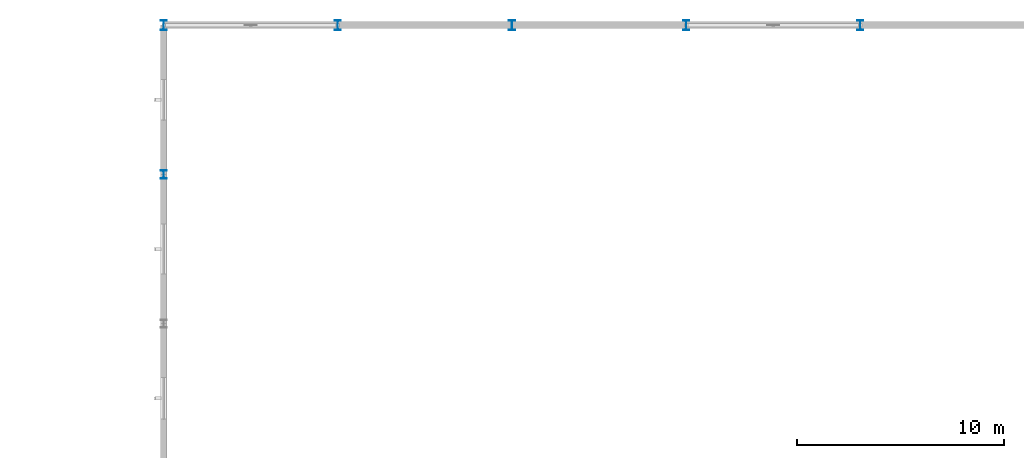
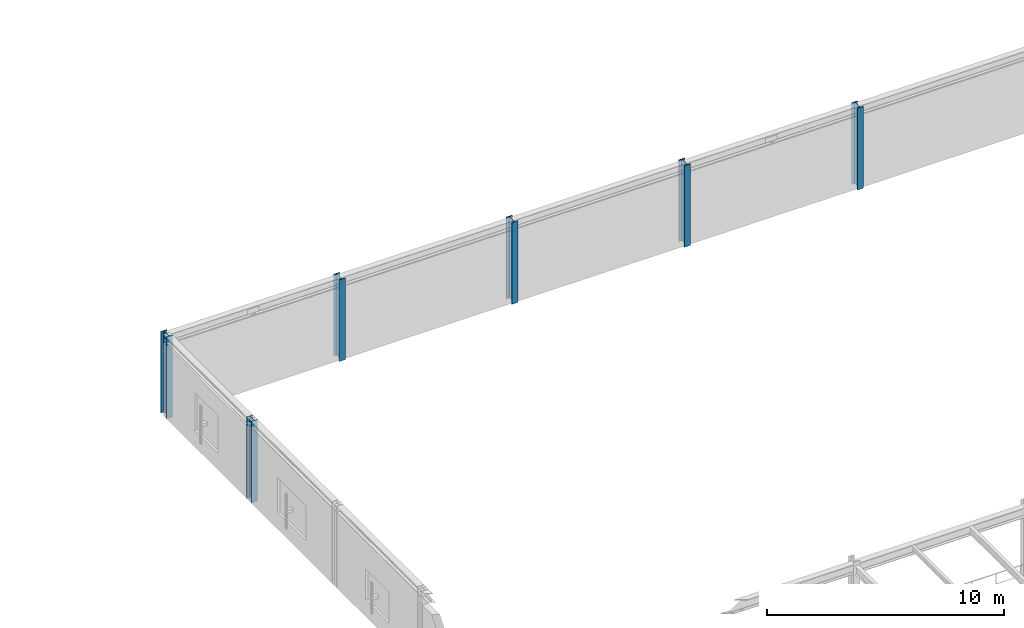
# One storey, part 14 of 109: 6 columns.
"""IFC4 building model written with IfcOpenShell, lengths in metres."""

from ifc_helpers import new_model, si_unit, derived_unit, direction, frame, origin, origin_2d, place, context, subcontext, project, spatial, i_section, extrude, material, material_profile, profile_set, type_object, element, save


model = new_model("IFC4")

# Units and contexts
model_context = context("Model", 3, precision=1e-05, world=origin(), true_north=direction((0.0, 1.0)))
body_context = subcontext(model_context, "Body", "Model", "MODEL_VIEW")
ifc_project = project(units=[si_unit("LENGTHUNIT", "METRE"), si_unit("AREAUNIT", "SQUARE_METRE"), si_unit("VOLUMEUNIT", "CUBIC_METRE"), si_unit("PLANEANGLEUNIT", "RADIAN"), si_unit("MASSUNIT", "GRAM", prefix="KILO"), derived_unit("THERMALTRANSMITTANCEUNIT", [(si_unit("MASSUNIT", "GRAM", prefix="KILO"), 1), (si_unit("TIMEUNIT", "SECOND"), -3), (si_unit("THERMODYNAMICTEMPERATUREUNIT", "KELVIN"), -1)])], contexts=[model_context])

# Site, building, storey
site_placement = place(None, origin())
site = spatial("IfcSite", under=ifc_project, at=site_placement, CompositionType="ELEMENT")
building_placement = place(site_placement, origin())
building = spatial("IfcBuilding", under=site, at=building_placement, Name="Kharveza Railside Sports Centre", CompositionType="ELEMENT")
storey_placement = place(building_placement, frame((0.0, 0.0, 4.5)))
storey = spatial("IfcBuildingStorey", under=building, at=storey_placement, Name="L01", CompositionType="ELEMENT", Elevation=4.5)

# Columns
ifc_material = material(Name="Steel S355J2", Category="steel")
ifc_material_profile_1 = material_profile(ifc_material, i_section(OverallWidth=0.300048828125, OverallDepth=0.5, WebThickness=0.014404296875, FlangeThickness=0.028076171875, FilletRadius=0.027099609375, at=origin_2d()), Name="HEB 500")
ifc_profile_set_1 = profile_set([ifc_material_profile_1], Name="Steel S355J2")
column_type_1 = type_object("IfcColumnType", Name="COL-S03", PredefinedType="COLUMN", material=ifc_profile_set_1)
for number, where, z_axis, x_axis, name in (
    (1, (92.39990234375, 108.0, 0.0), (0.0, 0.0, 1.0), (1.0, 0.0, 0.0), "COL-G-C03-X924-Y1080-L01"),
    (2, (100.800048828125, 108.0, 0.0), (0.0, 0.0, 1.0), (1.0, 0.0, 0.0), "COL-G-C03-X1008-Y1080-L01"),
    (3, (109.199951171875, 108.0, 0.0), (0.0, 0.0, 1.0), (1.0, 0.0, 0.0), "COL-G-C03-X1092-Y1080-L01"),
    (4, (117.60009765625, 108.0, 0.0), (0.0, 0.0, 1.0), (1.0, 0.0, 0.0), "COL-G-C03-X1176-Y1080-L01"),
    (5, (126.0, 108.0, 0.0), (0.0, 0.0, 1.0), (1.0, 0.0, 0.0), "COL-G-C03-X1260-Y1080-L01"),
):
    element("IfcColumn", number, at=place(storey_placement, frame(where, z_axis=z_axis, x_axis=x_axis)), inside=storey, type_object=column_type_1, Name=name, PredefinedType="COLUMN", context=body_context, shape_type="SweptSolid", body=[
        extrude(i_section(OverallWidth=0.300048828125, OverallDepth=0.5, WebThickness=0.014404296875, FlangeThickness=0.028076171875, FilletRadius=0.027099609375, at=origin_2d()), origin(), (0.0, 0.0, 1.0), 4.199951171875),
    ])
ifc_material_profile_2 = material_profile(ifc_material, i_section(OverallWidth=0.300048828125, OverallDepth=0.389892578125, WebThickness=0.010986328125, FlangeThickness=0.01904296875, FilletRadius=0.027099609375, at=origin_2d()), Name="HEA 400")
ifc_profile_set_2 = profile_set([ifc_material_profile_2], Name="Steel S355J2")
column_type_2 = type_object("IfcColumnType", Name="COL-S10", PredefinedType="COLUMN", material=ifc_profile_set_2)
column_placement = place(storey_placement, frame((92.39990234375, 100.800048828125, 0.0), z_axis=(0.0, 0.0, 1.0), x_axis=(1.0, 0.0, 0.0)))
element("IfcColumn", 6, at=column_placement, inside=storey, type_object=column_type_2, Name="COL-G-C10-X924-Y1008-L01", PredefinedType="COLUMN", context=body_context, shape_type="SweptSolid", body=[
    extrude(i_section(OverallWidth=0.300048828125, OverallDepth=0.389892578125, WebThickness=0.010986328125, FlangeThickness=0.01904296875, FilletRadius=0.027099609375, at=origin_2d()), origin(), (0.0, 0.0, 1.0), 4.199951171875),
])

save(model, "model.ifc")
